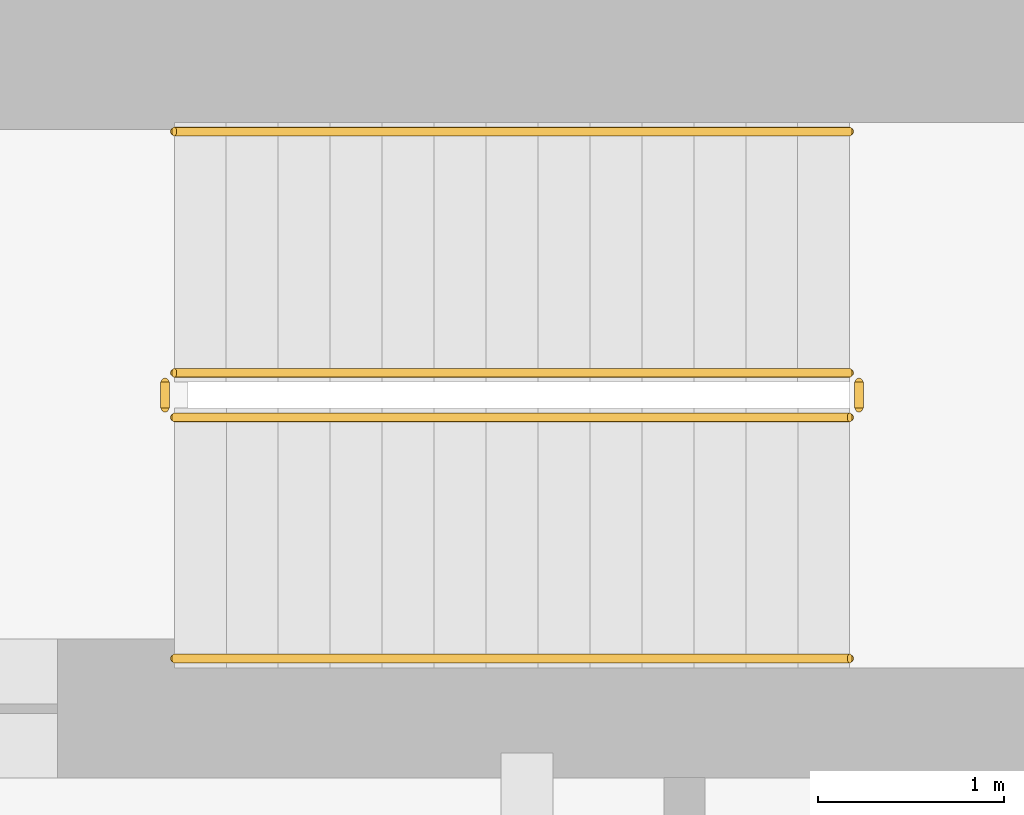
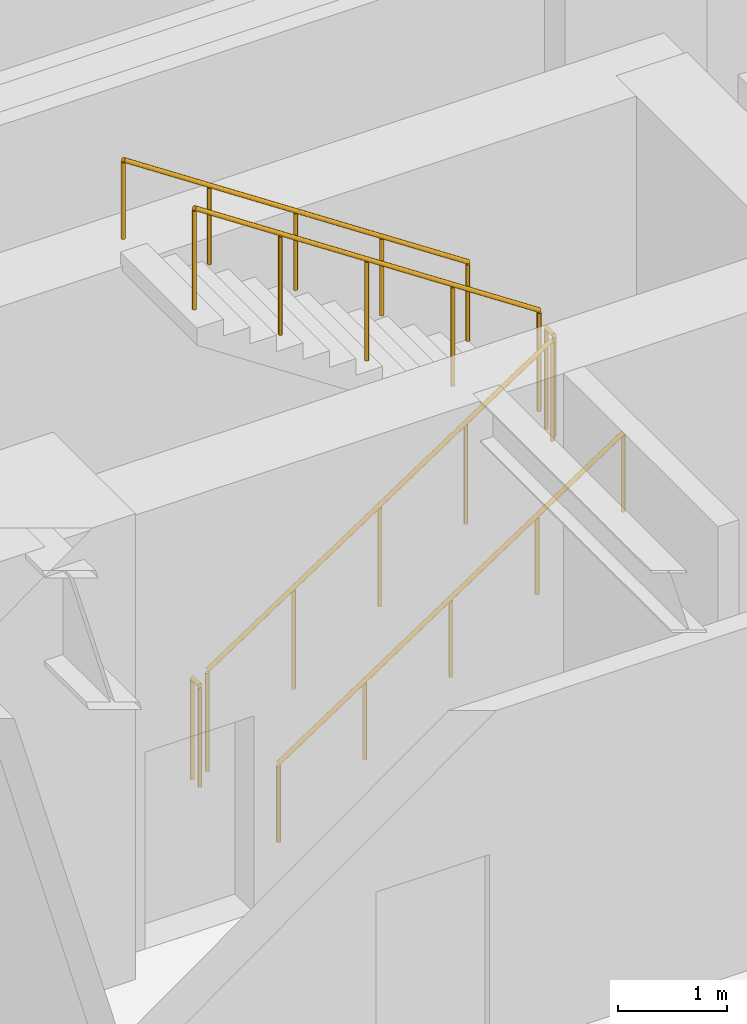
# One storey, part 20 of 27: 6 railings.
"""IFC4 building model written with IfcOpenShell, lengths in metres."""

from ifc_helpers import new_model, si_unit, direction, frame, origin, origin_2d, place, context, subcontext, project, spatial, circle, extrude, material, type_object, element, save


model = new_model("IFC4")

# Units and contexts
model_context = context("Model", 3, precision=1e-05, world=origin(), true_north=direction((0.0, 1.0)))
body_context = subcontext(model_context, "Body", "Model", "MODEL_VIEW")
ifc_project = project(units=[si_unit("LENGTHUNIT", "METRE"), si_unit("AREAUNIT", "SQUARE_METRE"), si_unit("VOLUMEUNIT", "CUBIC_METRE"), si_unit("PLANEANGLEUNIT", "RADIAN"), si_unit("MASSUNIT", "GRAM", prefix="KILO")], contexts=[model_context])

# Site, building, storey
site_placement = place(None, origin())
site = spatial("IfcSite", under=ifc_project, at=site_placement, CompositionType="ELEMENT")
building_placement = place(site_placement, origin())
building = spatial("IfcBuilding", under=site, at=building_placement, Name="Mirazonda Arch Towers", CompositionType="ELEMENT")
storey_placement = place(building_placement, origin())
storey = spatial("IfcBuildingStorey", under=building, at=storey_placement, Name="L00", CompositionType="ELEMENT", Elevation=0.0)

# Railings
ifc_material = material(Name="Architectural Brushed Steel S355", Category="steel")
railing_type_1 = type_object("IfcRailingType", Name="GUARD-STAIR-1120", PredefinedType="GUARDRAIL", material=ifc_material)
railing_1_placement = place(storey_placement, frame((13.85009765625, 39.169921875, 0.185791015625)))
element("IfcRailing", 1, at=railing_1_placement, inside=storey, type_object=railing_type_1, Name="L00 ST-T1N stair guard 1", PredefinedType="GUARDRAIL", context=body_context, shape_type="SweptSolid", body=[
    extrude(circle(Radius=0.02392578125, at=origin_2d()), frame((0.0, 0.0, 1.1259765625), z_axis=(0.833346510843, 0.0, 0.552750932036), x_axis=(0.0, 1.0, 0.0)), (0.0, 0.0, 1.0), 4.367919921875),
    extrude(circle(Radius=0.02099609375, at=origin_2d()), origin(), (0.0, 0.0, 1.0), 1.101806640625),
    extrude(circle(Radius=0.02099609375, at=origin_2d()), frame((0.909912109375, 0.0, 0.603515625)), (0.0, 0.0, 1.0), 1.101806640625),
    extrude(circle(Radius=0.02099609375, at=origin_2d()), frame((1.81982421875, 0.0, 1.20703125)), (0.0, 0.0, 1.0), 1.101806640625),
    extrude(circle(Radius=0.02099609375, at=origin_2d()), frame((2.72998046875, 0.0, 1.810791015625)), (0.0, 0.0, 1.0), 1.101806640625),
    extrude(circle(Radius=0.02099609375, at=origin_2d()), frame((3.639892578125, 0.0, 2.414306640625)), (0.0, 0.0, 1.0), 1.101806640625),
])
railing_2_placement = place(storey_placement, frame((17.5400390625, 39.219970703125, 2.60009765625)))
element("IfcRailing", 2, at=railing_2_placement, inside=storey, type_object=railing_type_1, Name="L00 ST-T1N stair guard 2", PredefinedType="GUARDRAIL", context=body_context, shape_type="SweptSolid", body=[
    extrude(circle(Radius=0.02392578125, at=origin_2d()), frame((0.0, 0.0, 1.1259765625), z_axis=(0.0, 1.0, 0.0), x_axis=(-1.0, 0.0, 0.0)), (0.0, 0.0, 1.0), 0.14013671875),
    extrude(circle(Radius=0.02099609375, at=origin_2d()), origin(), (0.0, 0.0, 1.0), 1.101806640625),
    extrude(circle(Radius=0.02099609375, at=origin_2d()), frame((0.0, 0.14013671875, 0.0)), (0.0, 0.0, 1.0), 1.101806640625),
])
railing_3_placement = place(storey_placement, frame((17.489990234375, 39.409912109375, 2.78564453125)))
element("IfcRailing", 3, at=railing_3_placement, inside=storey, type_object=railing_type_1, Name="L00 ST-T1N stair guard 3", PredefinedType="GUARDRAIL", context=body_context, shape_type="SweptSolid", body=[
    extrude(circle(Radius=0.02392578125, at=origin_2d()), frame((0.0, 0.0, 1.1259765625), z_axis=(-0.833346510843, 0.0, 0.552750932036), x_axis=(0.0, -1.0, 0.0)), (0.0, 0.0, 1.0), 4.367919921875),
    extrude(circle(Radius=0.02099609375, at=origin_2d()), origin(), (0.0, 0.0, 1.0), 1.101806640625),
    extrude(circle(Radius=0.02099609375, at=origin_2d()), frame((-0.909912109375, 0.0, 0.603515625)), (0.0, 0.0, 1.0), 1.101806640625),
    extrude(circle(Radius=0.02099609375, at=origin_2d()), frame((-1.81982421875, 0.0, 1.20703125)), (0.0, 0.0, 1.0), 1.101806640625),
    extrude(circle(Radius=0.02099609375, at=origin_2d()), frame((-2.72998046875, 0.0, 1.810791015625)), (0.0, 0.0, 1.0), 1.101806640625),
    extrude(circle(Radius=0.02099609375, at=origin_2d()), frame((-3.639892578125, 0.0, 2.414306640625)), (0.0, 0.0, 1.0), 1.101806640625),
])
railing_4_placement = place(storey_placement, frame((13.800048828125, 39.219970703125, 0.0)))
element("IfcRailing", 4, at=railing_4_placement, inside=storey, type_object=railing_type_1, Name="L00 ST-T1N stair guard 4", PredefinedType="GUARDRAIL", context=body_context, shape_type="SweptSolid", body=[
    extrude(circle(Radius=0.02392578125, at=origin_2d()), frame((0.0, 0.0, 1.1259765625), z_axis=(0.0, 1.0, 0.0), x_axis=(-1.0, 0.0, 0.0)), (0.0, 0.0, 1.0), 0.14013671875),
    extrude(circle(Radius=0.02099609375, at=origin_2d()), origin(), (0.0, 0.0, 1.0), 1.101806640625),
    extrude(circle(Radius=0.02099609375, at=origin_2d()), frame((0.0, 0.14013671875, 0.0)), (0.0, 0.0, 1.0), 1.101806640625),
])
railing_type_2 = type_object("IfcRailingType", Name="HANDRAIL-915", PredefinedType="HANDRAIL", material=ifc_material)
railing_5_placement = place(storey_placement, frame((13.85009765625, 37.8701171875, 0.185791015625)))
element("IfcRailing", 5, at=railing_5_placement, inside=storey, type_object=railing_type_2, Name="L00 ST-T1N stair handrail 1", PredefinedType="HANDRAIL", context=body_context, shape_type="SweptSolid", body=[
    extrude(circle(Radius=0.02392578125, at=origin_2d()), frame((0.0, 0.0, 0.8759765625), z_axis=(0.833346510843, 0.0, 0.552750932036), x_axis=(0.0, 1.0, 0.0)), (0.0, 0.0, 1.0), 4.367919921875),
    extrude(circle(Radius=0.02099609375, at=origin_2d()), origin(), (0.0, 0.0, 1.0), 0.851806640625),
    extrude(circle(Radius=0.02099609375, at=origin_2d()), frame((0.909912109375, 0.0, 0.603515625)), (0.0, 0.0, 1.0), 0.851806640625),
    extrude(circle(Radius=0.02099609375, at=origin_2d()), frame((1.81982421875, 0.0, 1.20703125)), (0.0, 0.0, 1.0), 0.851806640625),
    extrude(circle(Radius=0.02099609375, at=origin_2d()), frame((2.72998046875, 0.0, 1.810791015625)), (0.0, 0.0, 1.0), 0.851806640625),
    extrude(circle(Radius=0.02099609375, at=origin_2d()), frame((3.639892578125, 0.0, 2.414306640625)), (0.0, 0.0, 1.0), 0.851806640625),
])
railing_6_placement = place(storey_placement, frame((17.489990234375, 40.7099609375, 2.78564453125)))
element("IfcRailing", 6, at=railing_6_placement, inside=storey, type_object=railing_type_2, Name="L00 ST-T1N stair handrail 2", PredefinedType="HANDRAIL", context=body_context, shape_type="SweptSolid", body=[
    extrude(circle(Radius=0.02392578125, at=origin_2d()), frame((0.0, 0.0, 0.8759765625), z_axis=(-0.833346510843, 0.0, 0.552750932036), x_axis=(0.0, -1.0, 0.0)), (0.0, 0.0, 1.0), 4.367919921875),
    extrude(circle(Radius=0.02099609375, at=origin_2d()), origin(), (0.0, 0.0, 1.0), 0.851806640625),
    extrude(circle(Radius=0.02099609375, at=origin_2d()), frame((-0.909912109375, 0.0, 0.603515625)), (0.0, 0.0, 1.0), 0.851806640625),
    extrude(circle(Radius=0.02099609375, at=origin_2d()), frame((-1.81982421875, 0.0, 1.20703125)), (0.0, 0.0, 1.0), 0.851806640625),
    extrude(circle(Radius=0.02099609375, at=origin_2d()), frame((-2.72998046875, 0.0, 1.810791015625)), (0.0, 0.0, 1.0), 0.851806640625),
    extrude(circle(Radius=0.02099609375, at=origin_2d()), frame((-3.639892578125, 0.0, 2.414306640625)), (0.0, 0.0, 1.0), 0.851806640625),
])

save(model, "model.ifc")
